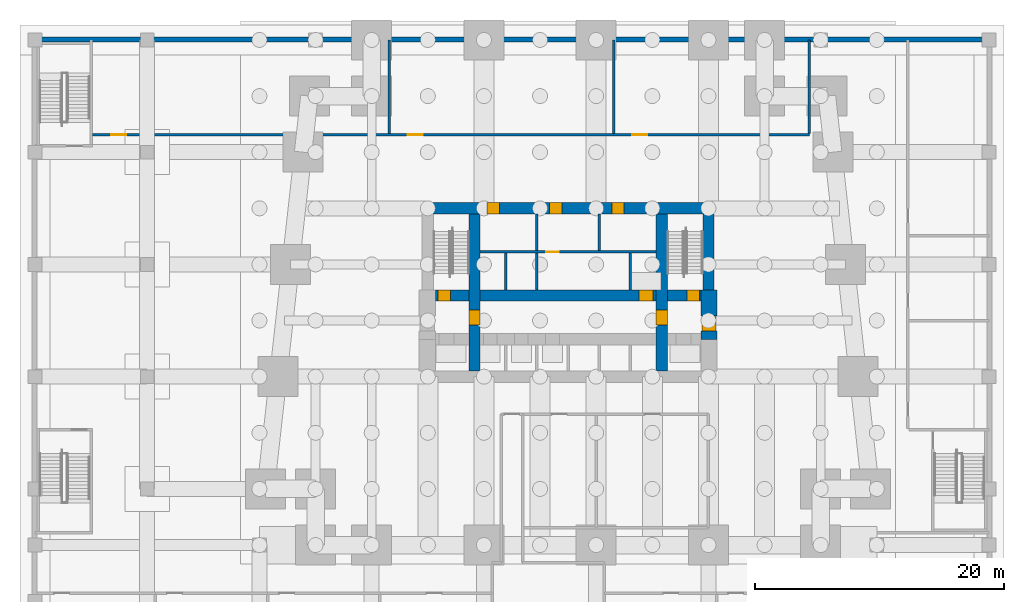
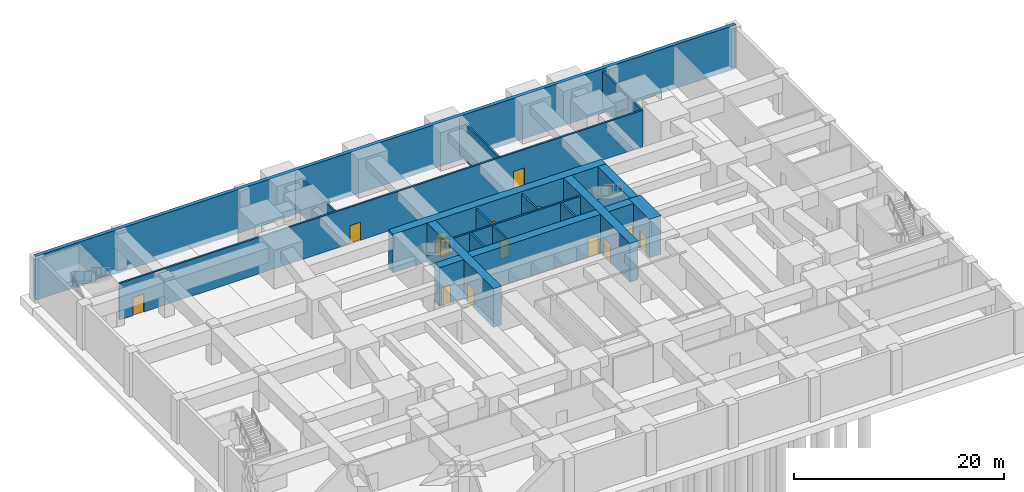
# One storey, part 4 of 9: 17 walls, 13 doors, 13 openings.
"""IFC4 building model written with IfcOpenShell, lengths in metres."""

from ifc_helpers import new_model, si_unit, direction, frame, frame_2d, origin, place, context, subcontext, project, spatial, rectangle, extrude, material, layer, layer_set, type_object, element, fill, save


model = new_model("IFC4")

# Units and contexts
model_context = context("Model", 3, precision=1e-05, world=origin(), true_north=direction((0.0, 1.0)))
body_context = subcontext(model_context, "Body", "Model", "MODEL_VIEW")
ifc_project = project(units=[si_unit("LENGTHUNIT", "METRE"), si_unit("AREAUNIT", "SQUARE_METRE"), si_unit("VOLUMEUNIT", "CUBIC_METRE"), si_unit("PLANEANGLEUNIT", "RADIAN"), si_unit("MASSUNIT", "GRAM", prefix="KILO")], contexts=[model_context])

# Site, building, storey
site_placement = place(None, origin())
site = spatial("IfcSite", under=ifc_project, at=site_placement, CompositionType="ELEMENT")
building_placement = place(site_placement, origin())
building = spatial("IfcBuilding", under=site, at=building_placement, Name="Kilele Tower Hotel", CompositionType="ELEMENT")
storey_placement = place(building_placement, frame((0.0, 0.0, -9.0)))
storey = spatial("IfcBuildingStorey", under=building, at=storey_placement, Name="B2", CompositionType="ELEMENT", Elevation=-9.0)

# Wall
ifc_material_1 = material(Name="Concrete C70/85", Category="concrete")
ifc_layer_1 = layer(ifc_material_1, 0.39990234375)
ifc_layer_set_1 = layer_set([ifc_layer_1], Name="Concrete C70/85")
wall_type_1 = type_object("IfcWallType", Name="Basement retaining wall 400", PredefinedType="SOLIDWALL", material=ifc_layer_set_1)
wall_1_placement = place(storey_placement, frame((58.75, 40.550048828125, -0.60009765625), z_axis=(0.0, 0.0, 1.0), x_axis=(-1.0, 0.0, 0.0)))
element("IfcWall", 1, at=wall_1_placement, inside=storey, type_object=wall_type_1, Name="Retaining wall B2 N", PredefinedType="SOLIDWALL", context=body_context, shape_type="SweptSolid", body=[
    extrude(rectangle(XDim=77.0, YDim=0.39990234375, at=frame_2d((38.5, 0.0))), origin(), (0.0, 0.0, 1.0), 5.10009765625),
])

# Wall, opening, door
ifc_material_2 = material(Name="Concrete C60/75", Category="concrete")
ifc_layer_2 = layer(ifc_material_2, 1.300048828125)
ifc_layer_set_2 = layer_set([ifc_layer_2], Name="Concrete C60/75")
wall_type_2 = type_object("IfcWallType", Name="Core wall 1300 C60/75", PredefinedType="SHEAR", material=ifc_layer_set_2)
wall_2_placement = place(storey_placement, frame((36.050048828125, 16.5, 0.0), z_axis=(0.0, 0.0, 1.0), x_axis=(0.0, 1.0, 0.0)))
wall_2 = element("IfcWall", 2, at=wall_2_placement, inside=storey, type_object=wall_type_2, Name="Core wall E2 B2", PredefinedType="SHEAR", context=body_context, shape_type="SweptSolid", body=[
    extrude(rectangle(XDim=3.949951171875, YDim=1.300048828125, at=frame_2d((1.97509765625, 0.0))), origin(), (0.0, 0.0, 1.0), 4.5),
])
opening_1_placement = place(wall_2_placement, frame((0.64990234375, 0.0, 0.0)))
opening_1 = element("IfcOpeningElement", 3, at=opening_1_placement, cuts=wall_2, Name="Opening D4", PredefinedType="OPENING", context=body_context, shape_type="SweptSolid", body=[
    extrude(rectangle(XDim=1.199951171875, YDim=2.10009765625, at=frame_2d((0.60009765625, 1.050048828125))), frame((0.0, 0.659912109375, 0.0), z_axis=(0.0, -1.0, 0.0), x_axis=(1.0, 0.0, 0.0)), (0.0, 0.0, 1.0), 1.320068359375),
])
ifc_material_3 = material(Name="Timber door leaf in hardwood frame", Category="wood")
door_type_1 = type_object("IfcDoorType", Name="Firefighting lobby door 1200", OperationType="SINGLE_SWING_LEFT", PredefinedType="DOOR", material=ifc_material_3)
door_1_placement = place(opening_1_placement, origin())
door_1 = element("IfcDoor", 4, at=door_1_placement, inside=storey, type_object=door_type_1, Name="Lobby door B2", OperationType="SINGLE_SWING_LEFT", OverallHeight=2.10009765625, OverallWidth=1.199951171875, PredefinedType="DOOR", context=body_context, shape_type="SweptSolid", body=[
    extrude(rectangle(XDim=1.199951171875, YDim=2.10009765625, at=frame_2d((0.60009765625, 1.050048828125))), frame((0.0, 0.574951171875, 0.0), z_axis=(0.0, -1.0, 0.0), x_axis=(1.0, 0.0, 0.0)), (0.0, 0.0, 1.0), 1.14990234375),
])
fill(opening_1, door_1)

# Wall, openings, doors
ifc_material_4 = material(Name="Concrete C60/75", Category="concrete")
ifc_layer_3 = layer(ifc_material_4, 0.89990234375)
ifc_layer_set_3 = layer_set([ifc_layer_3], Name="Concrete C60/75")
wall_type_3 = type_object("IfcWallType", Name="Core wall 900 C60/75", PredefinedType="SHEAR", material=ifc_layer_set_3)
wall_3_placement = place(storey_placement, frame((36.449951171875, 27.0, 0.0), z_axis=(0.0, 0.0, 1.0), x_axis=(-1.0, 0.0, 0.0)))
wall_3 = element("IfcWall", 5, at=wall_3_placement, inside=storey, type_object=wall_type_3, Name="Core wall N B2", PredefinedType="SHEAR", context=body_context, shape_type="SweptSolid", body=[
    extrude(rectangle(XDim=23.39990234375, YDim=0.89990234375, at=frame_2d((11.699951171875, 0.0))), origin(), (0.0, 0.0, 1.0), 4.5),
])
opening_2_placement = place(wall_3_placement, frame((17.199951171875, 0.0, 0.0)))
opening_2 = element("IfcOpeningElement", 6, at=opening_2_placement, cuts=wall_3, Name="Opening D6", PredefinedType="OPENING", context=body_context, shape_type="SweptSolid", body=[
    extrude(rectangle(XDim=1.0, YDim=2.10009765625, at=frame_2d((0.5, 1.050048828125))), frame((0.0, 0.4599609375, 0.0), z_axis=(0.0, -1.0, 0.0), x_axis=(1.0, 0.0, 0.0)), (0.0, 0.0, 1.0), 0.919921875),
])
opening_3_placement = place(wall_3_placement, frame((12.199951171875, 0.0, 0.0)))
opening_3 = element("IfcOpeningElement", 7, at=opening_3_placement, cuts=wall_3, Name="Opening D6", PredefinedType="OPENING", context=body_context, shape_type="SweptSolid", body=[
    extrude(rectangle(XDim=1.0, YDim=2.10009765625, at=frame_2d((0.5, 1.050048828125))), frame((0.0, 0.4599609375, 0.0), z_axis=(0.0, -1.0, 0.0), x_axis=(1.0, 0.0, 0.0)), (0.0, 0.0, 1.0), 0.919921875),
])
opening_4_placement = place(wall_3_placement, frame((7.199951171875, 0.0, 0.0)))
opening_4 = element("IfcOpeningElement", 8, at=opening_4_placement, cuts=wall_3, Name="Opening D6", PredefinedType="OPENING", context=body_context, shape_type="SweptSolid", body=[
    extrude(rectangle(XDim=1.0, YDim=2.10009765625, at=frame_2d((0.5, 1.050048828125))), frame((0.0, 0.4599609375, 0.0), z_axis=(0.0, -1.0, 0.0), x_axis=(1.0, 0.0, 0.0)), (0.0, 0.0, 1.0), 0.919921875),
])
ifc_material_5 = material(Name="Timber door leaf in hardwood frame", Category="wood")
door_type_2 = type_object("IfcDoorType", Name="Riser door 1000", OperationType="SINGLE_SWING_LEFT", PredefinedType="DOOR", material=ifc_material_5)
door_2_placement = place(opening_2_placement, origin())
door_2 = element("IfcDoor", 9, at=door_2_placement, inside=storey, type_object=door_type_2, Name="Service riser door B2", OperationType="SINGLE_SWING_RIGHT", OverallHeight=2.10009765625, OverallWidth=1.0, PredefinedType="DOOR", context=body_context, shape_type="SweptSolid", body=[
    extrude(rectangle(XDim=1.0, YDim=2.10009765625, at=frame_2d((0.5, 1.050048828125))), frame((0.0, 0.44970703125, 0.0), z_axis=(0.0, -1.0, 0.0), x_axis=(1.0, 0.0, 0.0)), (0.0, 0.0, 1.0), 0.8994140625),
])
fill(opening_2, door_2)
door_3_placement = place(opening_3_placement, origin())
door_3 = element("IfcDoor", 10, at=door_3_placement, inside=storey, type_object=door_type_2, Name="Plant store door B2", OperationType="SINGLE_SWING_RIGHT", OverallHeight=2.10009765625, OverallWidth=1.0, PredefinedType="DOOR", context=body_context, shape_type="SweptSolid", body=[
    extrude(rectangle(XDim=1.0, YDim=2.10009765625, at=frame_2d((0.5, 1.050048828125))), frame((0.0, 0.44970703125, 0.0), z_axis=(0.0, -1.0, 0.0), x_axis=(1.0, 0.0, 0.0)), (0.0, 0.0, 1.0), 0.8994140625),
])
fill(opening_3, door_3)
door_4_placement = place(opening_4_placement, origin())
door_4 = element("IfcDoor", 11, at=door_4_placement, inside=storey, type_object=door_type_2, Name="Electrical riser door B2", OperationType="SINGLE_SWING_RIGHT", OverallHeight=2.10009765625, OverallWidth=1.0, PredefinedType="DOOR", context=body_context, shape_type="SweptSolid", body=[
    extrude(rectangle(XDim=1.0, YDim=2.10009765625, at=frame_2d((0.5, 1.050048828125))), frame((0.0, 0.44970703125, 0.0), z_axis=(0.0, -1.0, 0.0), x_axis=(1.0, 0.0, 0.0)), (0.0, 0.0, 1.0), 0.8994140625),
])
fill(opening_4, door_4)

# Wall, opening, door
wall_4_placement = place(storey_placement, frame((17.25, 13.949951171875, 0.0), z_axis=(0.0, 0.0, 1.0), x_axis=(0.0, 1.0, 0.0)))
wall_4 = element("IfcWall", 12, at=wall_4_placement, inside=storey, type_object=wall_type_3, Name="Core wall IW B2", PredefinedType="SHEAR", context=body_context, shape_type="SweptSolid", body=[
    extrude(rectangle(XDim=12.60009765625, YDim=0.89990234375, at=frame_2d((6.300048828125, 0.0))), origin(), (0.0, 0.0, 1.0), 4.5),
])
opening_5_placement = place(wall_4_placement, frame((3.699951171875, 0.0, 0.0)))
opening_5 = element("IfcOpeningElement", 13, at=opening_5_placement, cuts=wall_4, Name="Opening D4", PredefinedType="OPENING", context=body_context, shape_type="SweptSolid", body=[
    extrude(rectangle(XDim=1.199951171875, YDim=2.10009765625, at=frame_2d((0.60009765625, 1.050048828125))), frame((0.0, 0.4599609375, 0.0), z_axis=(0.0, -1.0, 0.0), x_axis=(1.0, 0.0, 0.0)), (0.0, 0.0, 1.0), 0.919921875),
])
door_5_placement = place(opening_5_placement, origin())
door_5 = element("IfcDoor", 14, at=door_5_placement, inside=storey, type_object=door_type_1, Name="Lobby door B2", OperationType="SINGLE_SWING_LEFT", OverallHeight=2.10009765625, OverallWidth=1.199951171875, PredefinedType="DOOR", context=body_context, shape_type="SweptSolid", body=[
    extrude(rectangle(XDim=1.199951171875, YDim=2.10009765625, at=frame_2d((0.60009765625, 1.050048828125))), frame((0.0, 0.44970703125, 0.0), z_axis=(0.0, -1.0, 0.0), x_axis=(1.0, 0.0, 0.0)), (0.0, 0.0, 1.0), 0.8994140625),
])
fill(opening_5, door_5)

wall_5_placement = place(storey_placement, frame((32.25, 13.949951171875, 0.0), z_axis=(0.0, 0.0, 1.0), x_axis=(0.0, 1.0, 0.0)))
wall_5 = element("IfcWall", 15, at=wall_5_placement, inside=storey, type_object=wall_type_3, Name="Core wall IE B2", PredefinedType="SHEAR", context=body_context, shape_type="SweptSolid", body=[
    extrude(rectangle(XDim=12.60009765625, YDim=0.89990234375, at=frame_2d((6.300048828125, 0.0))), origin(), (0.0, 0.0, 1.0), 4.5),
])
opening_6_placement = place(wall_5_placement, frame((4.89990234375, 0.0, 0.0), z_axis=(0.0, 0.0, 1.0), x_axis=(-1.0, 0.0, 0.0)))
opening_6 = element("IfcOpeningElement", 16, at=opening_6_placement, cuts=wall_5, Name="Opening D4", PredefinedType="OPENING", context=body_context, shape_type="SweptSolid", body=[
    extrude(rectangle(XDim=1.199951171875, YDim=2.10009765625, at=frame_2d((0.60009765625, 1.050048828125))), frame((0.0, 0.4599609375, 0.0), z_axis=(0.0, -1.0, 0.0), x_axis=(1.0, 0.0, 0.0)), (0.0, 0.0, 1.0), 0.919921875),
])
door_6_placement = place(opening_6_placement, origin())
door_6 = element("IfcDoor", 17, at=door_6_placement, inside=storey, type_object=door_type_1, Name="Lobby door B2", OperationType="SINGLE_SWING_RIGHT", OverallHeight=2.10009765625, OverallWidth=1.199951171875, PredefinedType="DOOR", context=body_context, shape_type="SweptSolid", body=[
    extrude(rectangle(XDim=1.199951171875, YDim=2.10009765625, at=frame_2d((0.60009765625, 1.050048828125))), frame((0.0, 0.44970703125, 0.0), z_axis=(0.0, -1.0, 0.0), x_axis=(1.0, 0.0, 0.0)), (0.0, 0.0, 1.0), 0.8994140625),
])
fill(opening_6, door_6)

# Wall, openings, doors
wall_6_placement = place(storey_placement, frame((14.10009765625, 20.0, 0.0), z_axis=(0.0, 0.0, 1.0), x_axis=(1.0, 0.0, 0.0)))
wall_6 = element("IfcWall", 18, at=wall_6_placement, inside=storey, type_object=wall_type_3, Name="Core wall LN B2", PredefinedType="SHEAR", context=body_context, shape_type="SweptSolid", body=[
    extrude(rectangle(XDim=21.2998046875, YDim=0.89990234375, at=frame_2d((10.64990234375, 0.0))), origin(), (0.0, 0.0, 1.0), 4.5),
])
opening_7_placement = place(wall_6_placement, frame((0.199951171875, 0.0, 0.0)))
opening_7 = element("IfcOpeningElement", 19, at=opening_7_placement, cuts=wall_6, Name="Opening D5", PredefinedType="OPENING", context=body_context, shape_type="SweptSolid", body=[
    extrude(rectangle(XDim=1.0, YDim=2.10009765625, at=frame_2d((0.5, 1.050048828125))), frame((0.0, 0.4599609375, 0.0), z_axis=(0.0, -1.0, 0.0), x_axis=(1.0, 0.0, 0.0)), (0.0, 0.0, 1.0), 0.919921875),
])
opening_8_placement = place(wall_6_placement, frame((20.199951171875, 0.0, 0.0)))
opening_8 = element("IfcOpeningElement", 20, at=opening_8_placement, cuts=wall_6, Name="Opening D5", PredefinedType="OPENING", context=body_context, shape_type="SweptSolid", body=[
    extrude(rectangle(XDim=1.0, YDim=2.10009765625, at=frame_2d((0.5, 1.050048828125))), frame((0.0, 0.4599609375, 0.0), z_axis=(0.0, -1.0, 0.0), x_axis=(1.0, 0.0, 0.0)), (0.0, 0.0, 1.0), 0.919921875),
])
opening_9_placement = place(wall_6_placement, frame((16.35009765625, 0.0, 0.0)))
opening_9 = element("IfcOpeningElement", 21, at=opening_9_placement, cuts=wall_6, Name="Opening LD1", PredefinedType="OPENING", context=body_context, shape_type="SweptSolid", body=[
    extrude(rectangle(XDim=1.10009765625, YDim=2.10009765625, at=frame_2d((0.550048828125, 1.050048828125))), frame((0.0, 0.4599609375, 0.0), z_axis=(0.0, -1.0, 0.0), x_axis=(1.0, 0.0, 0.0)), (0.0, 0.0, 1.0), 0.919921875),
])
ifc_material_6 = material(Name="Steel lift landing door", Category="steel")
door_type_3 = type_object("IfcDoorType", Name="Lift landing door 1100", OperationType="SLIDING_TO_LEFT", PredefinedType="DOOR", material=ifc_material_6)
door_7_placement = place(opening_9_placement, origin())
door_7 = element("IfcDoor", 22, at=door_7_placement, inside=storey, type_object=door_type_3, Name="Landing door G1 B2", OperationType="SLIDING_TO_LEFT", OverallHeight=2.10009765625, OverallWidth=1.10009765625, PredefinedType="DOOR", context=body_context, shape_type="SweptSolid", body=[
    extrude(rectangle(XDim=1.10009765625, YDim=2.10009765625, at=frame_2d((0.550048828125, 1.050048828125))), frame((0.0, 0.44970703125, 0.0), z_axis=(0.0, -1.0, 0.0), x_axis=(1.0, 0.0, 0.0)), (0.0, 0.0, 1.0), 0.8994140625),
])
fill(opening_9, door_7)
ifc_material_7 = material(Name="Timber door leaf in hardwood frame", Category="wood")
door_type_4 = type_object("IfcDoorType", Name="Stair door 1000", OperationType="SINGLE_SWING_LEFT", PredefinedType="DOOR", material=ifc_material_7)
door_8_placement = place(opening_7_placement, origin())
door_8 = element("IfcDoor", 23, at=door_8_placement, inside=storey, type_object=door_type_4, Name="Stair 1 door B2", OperationType="SINGLE_SWING_LEFT", OverallHeight=2.10009765625, OverallWidth=1.0, PredefinedType="DOOR", context=body_context, shape_type="SweptSolid", body=[
    extrude(rectangle(XDim=1.0, YDim=2.10009765625, at=frame_2d((0.5, 1.050048828125))), frame((0.0, 0.44970703125, 0.0), z_axis=(0.0, -1.0, 0.0), x_axis=(1.0, 0.0, 0.0)), (0.0, 0.0, 1.0), 0.8994140625),
])
fill(opening_7, door_8)
door_9_placement = place(opening_8_placement, origin())
door_9 = element("IfcDoor", 24, at=door_9_placement, inside=storey, type_object=door_type_4, Name="Stair 2 door B2", OperationType="SINGLE_SWING_RIGHT", OverallHeight=2.10009765625, OverallWidth=1.0, PredefinedType="DOOR", context=body_context, shape_type="SweptSolid", body=[
    extrude(rectangle(XDim=1.0, YDim=2.10009765625, at=frame_2d((0.5, 1.050048828125))), frame((0.0, 0.44970703125, 0.0), z_axis=(0.0, -1.0, 0.0), x_axis=(1.0, 0.0, 0.0)), (0.0, 0.0, 1.0), 0.8994140625),
])
fill(opening_8, door_9)

# Wall
wall_7_placement = place(storey_placement, frame((36.0, 20.449951171875, 0.0), z_axis=(0.0, 0.0, 1.0), x_axis=(0.0, 1.0, 0.0)))
element("IfcWall", 25, at=wall_7_placement, inside=storey, type_object=wall_type_3, Name="Core wall E3 B2", PredefinedType="SHEAR", context=body_context, shape_type="SweptSolid", body=[
    extrude(rectangle(XDim=6.10009765625, YDim=0.89990234375, at=frame_2d((3.050048828125, 0.0))), origin(), (0.0, 0.0, 1.0), 4.5),
])

# Wall, openings, doors
ifc_material_8 = material(Name="Blockwork, plastered both sides", Category="masonry")
ifc_layer_4 = layer(ifc_material_8, 0.199951171875)
ifc_layer_set_4 = layer_set([ifc_layer_4], Name="Blockwork, plastered both sides")
wall_type_4 = type_object("IfcWallType", Name="Partition wall 200", PredefinedType="PARTITIONING", material=ifc_layer_set_4)
wall_8_placement = place(storey_placement, frame((-13.39990234375, 32.89990234375, 0.0), z_axis=(0.0, 0.0, 1.0), x_axis=(1.0, 0.0, 0.0)))
wall_8 = element("IfcWall", 26, at=wall_8_placement, inside=storey, type_object=wall_type_4, Name="Partition wall 200 B2", PredefinedType="PARTITIONING", context=body_context, shape_type="SweptSolid", body=[
    extrude(rectangle(XDim=57.5, YDim=0.199951171875, at=frame_2d((28.75, 0.0))), origin(), (0.0, 0.0, 1.0), 4.25),
])
opening_10_placement = place(wall_8_placement, frame((1.5, 0.0, 0.0)))
opening_10 = element("IfcOpeningElement", 27, at=opening_10_placement, cuts=wall_8, Name="Opening D7A", PredefinedType="OPENING", context=body_context, shape_type="SweptSolid", body=[
    extrude(rectangle(XDim=1.199951171875, YDim=2.10009765625, at=frame_2d((0.60009765625, 1.050048828125))), frame((0.0, 0.10986328125, 0.0), z_axis=(0.0, -1.0, 0.0), x_axis=(1.0, 0.0, 0.0)), (0.0, 0.0, 1.0), 0.219970703125),
])
opening_11_placement = place(wall_8_placement, frame((25.300048828125, 0.0, 0.0)))
opening_11 = element("IfcOpeningElement", 28, at=opening_11_placement, cuts=wall_8, Name="Opening D7A", PredefinedType="OPENING", context=body_context, shape_type="SweptSolid", body=[
    extrude(rectangle(XDim=1.199951171875, YDim=2.10009765625, at=frame_2d((0.60009765625, 1.050048828125))), frame((0.0, 0.10986328125, 0.0), z_axis=(0.0, -1.0, 0.0), x_axis=(1.0, 0.0, 0.0)), (0.0, 0.0, 1.0), 0.219970703125),
])
opening_12_placement = place(wall_8_placement, frame((43.300048828125, 0.0, 0.0)))
opening_12 = element("IfcOpeningElement", 29, at=opening_12_placement, cuts=wall_8, Name="Opening D7A", PredefinedType="OPENING", context=body_context, shape_type="SweptSolid", body=[
    extrude(rectangle(XDim=1.199951171875, YDim=2.10009765625, at=frame_2d((0.60009765625, 1.050048828125))), frame((0.0, 0.10986328125, 0.0), z_axis=(0.0, -1.0, 0.0), x_axis=(1.0, 0.0, 0.0)), (0.0, 0.0, 1.0), 0.219970703125),
])
ifc_material_9 = material(Name="Timber door leaf in hardwood frame", Category="wood")
door_type_5 = type_object("IfcDoorType", Name="Plant room door 1200", OperationType="SINGLE_SWING_LEFT", PredefinedType="DOOR", material=ifc_material_9)
door_10_placement = place(opening_10_placement, origin())
door_10 = element("IfcDoor", 30, at=door_10_placement, inside=storey, type_object=door_type_5, Name="Door Chiller plant room", OperationType="SINGLE_SWING_LEFT", OverallHeight=2.10009765625, OverallWidth=1.199951171875, PredefinedType="DOOR", context=body_context, shape_type="SweptSolid", body=[
    extrude(rectangle(XDim=1.199951171875, YDim=2.10009765625, at=frame_2d((0.60009765625, 1.050048828125))), frame((0.0, 0.02490234375, 0.0), z_axis=(0.0, -1.0, 0.0), x_axis=(1.0, 0.0, 0.0)), (0.0, 0.0, 1.0), 0.050048828125),
])
fill(opening_10, door_10)
door_11_placement = place(opening_11_placement, origin())
door_11 = element("IfcDoor", 31, at=door_11_placement, inside=storey, type_object=door_type_5, Name="Door Standby power plant room", OperationType="SINGLE_SWING_LEFT", OverallHeight=2.10009765625, OverallWidth=1.199951171875, PredefinedType="DOOR", context=body_context, shape_type="SweptSolid", body=[
    extrude(rectangle(XDim=1.199951171875, YDim=2.10009765625, at=frame_2d((0.60009765625, 1.050048828125))), frame((0.0, 0.02490234375, 0.0), z_axis=(0.0, -1.0, 0.0), x_axis=(1.0, 0.0, 0.0)), (0.0, 0.0, 1.0), 0.050048828125),
])
fill(opening_11, door_11)
door_12_placement = place(opening_12_placement, origin())
door_12 = element("IfcDoor", 32, at=door_12_placement, inside=storey, type_object=door_type_5, Name="Door Fuel and water tank room", OperationType="SINGLE_SWING_LEFT", OverallHeight=2.10009765625, OverallWidth=1.199951171875, PredefinedType="DOOR", context=body_context, shape_type="SweptSolid", body=[
    extrude(rectangle(XDim=1.199951171875, YDim=2.10009765625, at=frame_2d((0.60009765625, 1.050048828125))), frame((0.0, 0.02490234375, 0.0), z_axis=(0.0, -1.0, 0.0), x_axis=(1.0, 0.0, 0.0)), (0.0, 0.0, 1.0), 0.050048828125),
])
fill(opening_12, door_12)

# Walls
for number, where, z_axis, x_axis, name in (
    (33, (10.39990234375, 33.0, 0.0), (0.0, 0.0, 1.0), (0.0, 1.0, 0.0), "Partition wall 200 B2"),
    (34, (28.39990234375, 33.0, 0.0), (0.0, 0.0, 1.0), (0.0, 1.0, 0.0), "Partition wall 200 B2"),
    (35, (44.10009765625, 33.0, 0.0), (0.0, 0.0, 1.0), (0.0, 1.0, 0.0), "Partition wall 200 B2"),
):
    element("IfcWall", number, at=place(storey_placement, frame(where, z_axis=z_axis, x_axis=x_axis)), inside=storey, type_object=wall_type_4, Name=name, PredefinedType="PARTITIONING", context=body_context, shape_type="SweptSolid", body=[
        extrude(rectangle(XDim=7.5, YDim=0.199951171875, at=frame_2d((3.75, 0.0))), origin(), (0.0, 0.0, 1.0), 4.25),
    ])
ifc_material_10 = material(Name="Blockwork, fire-rated", Category="masonry")
ifc_layer_5 = layer(ifc_material_10, 0.199951171875)
ifc_layer_set_5 = layer_set([ifc_layer_5], Name="Blockwork, fire-rated")
wall_type_5 = type_object("IfcWallType", Name="Shaft wall 200", PredefinedType="PARTITIONING", material=ifc_layer_set_5)
for number, where, z_axis, x_axis, name in (
    (36, (19.75, 20.449951171875, 0.0), (0.0, 0.0, 1.0), (0.0, 1.0, 0.0), "Shaft wall 200 B2"),
    (37, (22.25, 20.449951171875, 0.0), (0.0, 0.0, 1.0), (0.0, 1.0, 0.0), "Shaft wall 200 B2"),
    (38, (29.75, 20.449951171875, 0.0), (0.0, 0.0, 1.0), (0.0, 1.0, 0.0), "Shaft wall 200 B2"),
):
    element("IfcWall", number, at=place(storey_placement, frame(where, z_axis=z_axis, x_axis=x_axis)), inside=storey, type_object=wall_type_5, Name=name, PredefinedType="PARTITIONING", context=body_context, shape_type="SweptSolid", body=[
        extrude(rectangle(XDim=2.949951171875, YDim=0.199951171875, at=frame_2d((1.47509765625, 0.0))), origin(), (0.0, 0.0, 1.0), 4.25),
    ])

# Wall, opening, door
wall_9_placement = place(storey_placement, frame((17.699951171875, 23.5, 0.0), z_axis=(0.0, 0.0, 1.0), x_axis=(1.0, 0.0, 0.0)))
wall_9 = element("IfcWall", 39, at=wall_9_placement, inside=storey, type_object=wall_type_5, Name="Shaft wall 200 B2", PredefinedType="PARTITIONING", context=body_context, shape_type="SweptSolid", body=[
    extrude(rectangle(XDim=14.10009765625, YDim=0.199951171875, at=frame_2d((7.050048828125, 0.0))), origin(), (0.0, 0.0, 1.0), 4.25),
])
opening_13_placement = place(wall_9_placement, frame((5.300048828125, 0.0, 0.0)))
opening_13 = element("IfcOpeningElement", 40, at=opening_13_placement, cuts=wall_9, Name="Opening D11", PredefinedType="OPENING", context=body_context, shape_type="SweptSolid", body=[
    extrude(rectangle(XDim=1.0, YDim=2.10009765625, at=frame_2d((0.5, 1.050048828125))), frame((0.0, 0.10986328125, 0.0), z_axis=(0.0, -1.0, 0.0), x_axis=(1.0, 0.0, 0.0)), (0.0, 0.0, 1.0), 0.219970703125),
])
ifc_material_11 = material(Name="Timber door leaf in hardwood frame", Category="wood")
door_type_6 = type_object("IfcDoorType", Name="Core store door 1000", OperationType="SINGLE_SWING_LEFT", PredefinedType="DOOR", material=ifc_material_11)
door_13_placement = place(opening_13_placement, origin())
door_13 = element("IfcDoor", 41, at=door_13_placement, inside=storey, type_object=door_type_6, Name="Core room door H1", OperationType="SINGLE_SWING_LEFT", OverallHeight=2.10009765625, OverallWidth=1.0, PredefinedType="DOOR", context=body_context, shape_type="SweptSolid", body=[
    extrude(rectangle(XDim=1.0, YDim=2.10009765625, at=frame_2d((0.5, 1.050048828125))), frame((0.0, 0.02490234375, 0.0), z_axis=(0.0, -1.0, 0.0), x_axis=(1.0, 0.0, 0.0)), (0.0, 0.0, 1.0), 0.050048828125),
])
fill(opening_13, door_13)

# Walls
for number, where, z_axis, x_axis, name in (
    (42, (22.25, 23.60009765625, 0.0), (0.0, 0.0, 1.0), (0.0, 1.0, 0.0), "Shaft wall 200 B2"),
    (43, (27.25, 23.60009765625, 0.0), (0.0, 0.0, 1.0), (0.0, 1.0, 0.0), "Shaft wall 200 B2"),
):
    element("IfcWall", number, at=place(storey_placement, frame(where, z_axis=z_axis, x_axis=x_axis)), inside=storey, type_object=wall_type_5, Name=name, PredefinedType="PARTITIONING", context=body_context, shape_type="SweptSolid", body=[
        extrude(rectangle(XDim=2.949951171875, YDim=0.199951171875, at=frame_2d((1.47509765625, 0.0))), origin(), (0.0, 0.0, 1.0), 4.25),
    ])

save(model, "model.ifc")
